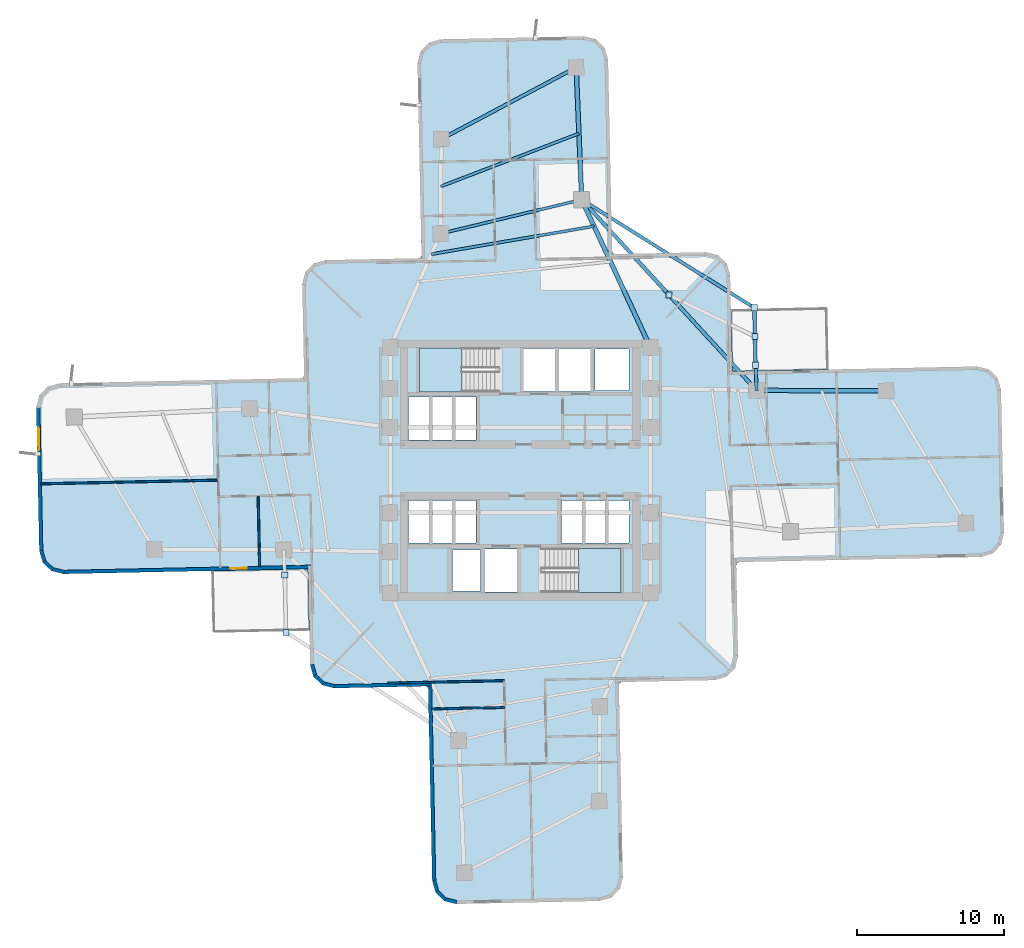
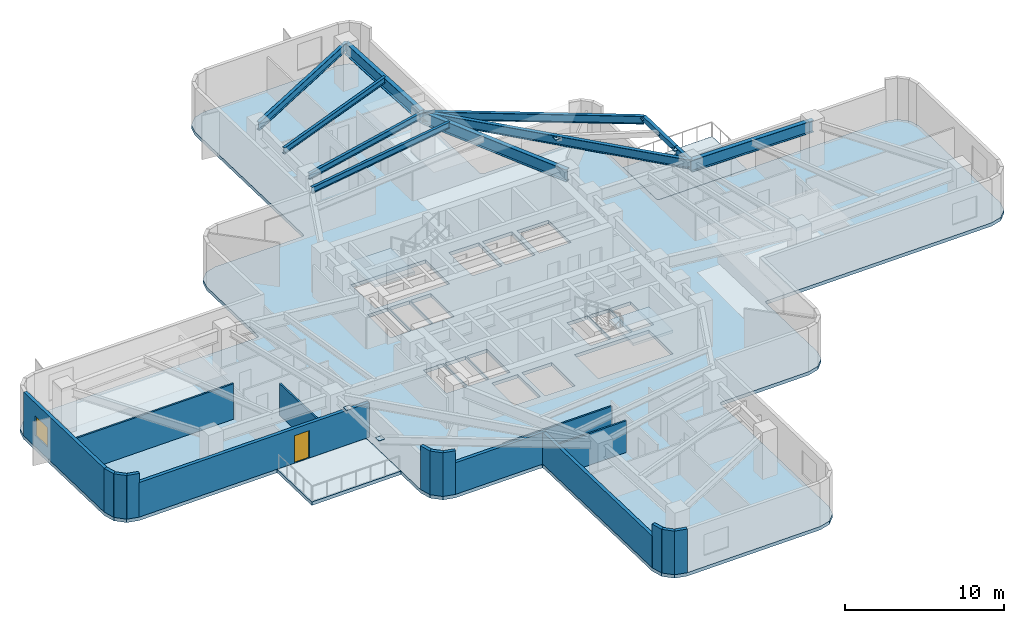
# One storey, part 2 of 10: 17 walls, 11 beams, 6 plates, 5 slabs, 1 door, 1 window, 2 openings, 2 elements without a shape of their own.
"""IFC4 building model written with IfcOpenShell, lengths in metres."""

from ifc_helpers import new_model, si_unit, direction, frame, frame_2d, origin, origin_2d, place, context, subcontext, project, spatial, polyline, rectangle, hollow_rectangle, i_section, outline, extrude, material, layer, layer_set, material_profile, profile_set, type_object, element, fill, aggregate, save


model = new_model("IFC4")

# Units and contexts
model_context = context("Model", 3, precision=1e-05, world=origin(), true_north=direction((0.0, 1.0)))
body_context = subcontext(model_context, "Body", "Model", "MODEL_VIEW")
ifc_project = project(units=[si_unit("LENGTHUNIT", "METRE"), si_unit("AREAUNIT", "SQUARE_METRE"), si_unit("VOLUMEUNIT", "CUBIC_METRE"), si_unit("PLANEANGLEUNIT", "RADIAN"), si_unit("MASSUNIT", "GRAM", prefix="KILO")], contexts=[model_context])

# Site, building, storey
site_placement = place(None, origin())
site = spatial("IfcSite", under=ifc_project, at=site_placement, CompositionType="ELEMENT")
building_placement = place(site_placement, origin())
building = spatial("IfcBuilding", under=site, at=building_placement, Name="Solmarez Civic Tower", CompositionType="ELEMENT")
storey_placement = place(building_placement, frame((0.0, 0.0, 35.280029296875)))
storey = spatial("IfcBuildingStorey", under=building, at=storey_placement, Name="L08", CompositionType="ELEMENT", Elevation=35.280029296875)

# Beams
ifc_material_1 = material(Name="Steel S355", Category="steel")
ifc_material_profile_1 = material_profile(ifc_material_1, i_section(OverallWidth=0.19189453125, OverallDepth=0.462890625, WebThickness=0.010498046875, FlangeThickness=0.017578125, at=origin_2d()), Name="W18X60")
ifc_profile_set_1 = profile_set([ifc_material_profile_1], Name="Steel S355")
beam_type_1 = type_object("IfcBeamType", Name="BM-JS-W18X60", PredefinedType="JOIST", material=ifc_profile_set_1)
beam_1_placement = place(storey_placement, frame((4.18408203125, 18.39111328125, 3.10888671875), z_axis=(-0.97215737271, -0.234328919867, 0.0), x_axis=(0.234328919867, -0.97215737271, 0.0)))
element("IfcBeam", 1, at=beam_1_placement, inside=storey, type_object=beam_type_1, Name="L08 Secondary Floor Joist BM-L08-NA-T1", PredefinedType="JOIST", context=body_context, shape_type="SweptSolid", body=[
    extrude(i_section(OverallWidth=0.19189453125, OverallDepth=0.462890625, WebThickness=0.010498046875, FlangeThickness=0.017578125, at=origin_2d()), origin(), (0.0, 0.0, 1.0), 9.880126953125),
])
beam_2_placement = place(storey_placement, frame((3.9951171875, 22.886962890625, 3.10888671875), z_axis=(-0.933878315551, -0.357590955903, 0.0), x_axis=(0.357590955903, -0.933878315551, 0.0)))
element("IfcBeam", 2, at=beam_2_placement, inside=storey, type_object=beam_type_1, Name="L08 Secondary Floor Joist JS-L08-NA-M2", PredefinedType="JOIST", context=body_context, shape_type="SweptSolid", body=[
    extrude(i_section(OverallWidth=0.19189453125, OverallDepth=0.462890625, WebThickness=0.010498046875, FlangeThickness=0.017578125, at=origin_2d()), origin(), (0.0, 0.0, 1.0), 10.05615234375),
])
beam_3_placement = place(storey_placement, frame((5.02392578125, 16.583984375, 3.10888671875), z_axis=(-0.985583934907, -0.169187195889, 0.0), x_axis=(0.169187195889, -0.985583934907, 0.0)))
element("IfcBeam", 3, at=beam_3_placement, inside=storey, type_object=beam_type_1, Name="L08 Secondary Floor Joist JS-L08-NA-M12", PredefinedType="JOIST", context=body_context, shape_type="SweptSolid", body=[
    extrude(i_section(OverallWidth=0.19189453125, OverallDepth=0.462890625, WebThickness=0.010498046875, FlangeThickness=0.017578125, at=origin_2d()), origin(), (0.0, 0.0, 1.0), 11.223876953125),
])
ifc_material_profile_2 = material_profile(ifc_material_1, i_section(OverallWidth=0.25390625, OverallDepth=0.68798828125, WebThickness=0.01318359375, FlangeThickness=0.02099609375, at=origin_2d()), Name="W27X102")
ifc_profile_set_2 = profile_set([ifc_material_profile_2], Name="Steel S355")
beam_type_2 = type_object("IfcBeamType", Name="BM-PR-W27X102", PredefinedType="BEAM", material=ifc_profile_set_2)
beam_4_placement = place(storey_placement, frame((16.075927734375, 5.4208984375, 2.995849609375), z_axis=(-0.6758012736, 0.737083874875, 0.0), x_axis=(-0.737083874875, -0.6758012736, 0.0)))
element("IfcBeam", 4, at=beam_4_placement, inside=storey, type_object=beam_type_2, Name="L08 Primary Floor Beam BM-L08-BALC-NEC", PredefinedType="BEAM", context=body_context, shape_type="SweptSolid", body=[
    extrude(i_section(OverallWidth=0.25390625, OverallDepth=0.68798828125, WebThickness=0.01318359375, FlangeThickness=0.02099609375, at=origin_2d()), origin(), (0.0, 0.0, 1.0), 17.5966796875),
])
ifc_material_profile_3 = material_profile(ifc_material_1, i_section(OverallWidth=0.303955078125, OverallDepth=0.910888671875, WebThickness=0.015869140625, FlangeThickness=0.02392578125, at=origin_2d()), Name="W36X150")
ifc_profile_set_3 = profile_set([ifc_material_profile_3], Name="Steel S355")
beam_type_3 = type_object("IfcBeamType", Name="BM-PR-W36X150", PredefinedType="BEAM", material=ifc_profile_set_3)
beam_5_placement = place(storey_placement, frame((16.075927734375, 5.4208984375, 2.884033203125), z_axis=(0.99999501223, -0.003158403928, 0.0), x_axis=(0.003158403928, 0.99999501223, 0.0)))
element("IfcBeam", 5, at=beam_5_placement, inside=storey, type_object=beam_type_3, Name="L08 Primary Floor Beam BM-L08-EA-R2B", PredefinedType="BEAM", context=body_context, shape_type="SweptSolid", body=[
    extrude(i_section(OverallWidth=0.303955078125, OverallDepth=0.910888671875, WebThickness=0.015869140625, FlangeThickness=0.02392578125, at=origin_2d()), origin(), (0.0, 0.0, 1.0), 8.81201171875),
])
beam_6_placement = place(storey_placement, frame((8.85009765625, 8.35009765625, 2.884033203125), z_axis=(-0.421417065364, 0.906866945599, 0.0), x_axis=(-0.906866945599, -0.421417065364, 0.0)))
element("IfcBeam", 6, at=beam_6_placement, inside=storey, type_object=beam_type_3, Name="L08 Primary Floor Beam BM-L08-NA-R1A", PredefinedType="BEAM", context=body_context, shape_type="SweptSolid", body=[
    extrude(i_section(OverallWidth=0.303955078125, OverallDepth=0.910888671875, WebThickness=0.015869140625, FlangeThickness=0.02392578125, at=origin_2d()), origin(), (0.0, 0.0, 1.0), 11.072265625),
])
beam_7_placement = place(storey_placement, frame((4.18408203125, 18.39111328125, 2.884033203125), z_axis=(-0.041911499832, 0.999121327058, 0.0), x_axis=(-0.999121327058, -0.041911499832, 0.0)))
element("IfcBeam", 7, at=beam_7_placement, inside=storey, type_object=beam_type_3, Name="L08 Primary Floor Beam BM-L08-NA-R2A", PredefinedType="BEAM", context=body_context, shape_type="SweptSolid", body=[
    extrude(i_section(OverallWidth=0.303955078125, OverallDepth=0.910888671875, WebThickness=0.015869140625, FlangeThickness=0.02392578125, at=origin_2d()), origin(), (0.0, 0.0, 1.0), 8.999755859375),
])
ifc_material_profile_4 = material_profile(ifc_material_1, hollow_rectangle(XDim=0.25, YDim=0.39990234375, WallThickness=0.01611328125, at=origin_2d()), Name="HSS400X250X16")
ifc_profile_set_4 = profile_set([ifc_material_profile_4], Name="Steel S355")
beam_type_4 = type_object("IfcBeamType", Name="BM-SP-HSS400X250", PredefinedType="SPANDREL", material=ifc_profile_set_4)
beam_8_placement = place(storey_placement, frame((16.00390625, 7.136962890625, 3.139892578125), z_axis=(-0.020972217891, 0.999780058851, 0.0), x_axis=(-0.999780058851, -0.020972217891, 0.0)))
element("IfcBeam", 8, at=beam_8_placement, inside=storey, type_object=beam_type_4, Name="L08 Perimeter Spandrel Beam BM-L08-BALC-NEE", PredefinedType="SPANDREL", context=body_context, shape_type="SweptSolid", body=[
    extrude(hollow_rectangle(XDim=0.25, YDim=0.39990234375, WallThickness=0.01611328125, at=origin_2d()), origin(), (0.0, 0.0, 1.0), 3.89990234375),
])
ifc_material_profile_5 = material_profile(ifc_material_1, i_section(OverallWidth=0.22900390625, OverallDepth=0.612060546875, WebThickness=0.011962890625, FlangeThickness=0.01953125, at=origin_2d()), Name="W24X84")
ifc_profile_set_5 = profile_set([ifc_material_profile_5], Name="Steel S355")
beam_type_5 = type_object("IfcBeamType", Name="BM-SP-W24X84", PredefinedType="SPANDREL", material=ifc_profile_set_5)
beam_9_placement = place(storey_placement, frame((3.806884765625, 27.383056640625, 3.033935546875), z_axis=(-0.883129404808, -0.469129464394, 0.0), x_axis=(0.469129464394, -0.883129404808, 0.0)))
element("IfcBeam", 9, at=beam_9_placement, inside=storey, type_object=beam_type_5, Name="L08 Perimeter Spandrel Beam BM-L08-NA-T2", PredefinedType="SPANDREL", context=body_context, shape_type="SweptSolid", body=[
    extrude(i_section(OverallWidth=0.22900390625, OverallDepth=0.612060546875, WebThickness=0.011962890625, FlangeThickness=0.01953125, at=origin_2d()), origin(), (0.0, 0.0, 1.0), 10.3935546875),
])
beam_10_placement = place(storey_placement, frame((16.075927734375, 5.4208984375, 3.033935546875), z_axis=(-0.041932072391, 0.999120463861, 0.0), x_axis=(-0.999120463861, -0.041932072391, 0.0)))
element("IfcBeam", 10, at=beam_10_placement, inside=storey, type_object=beam_type_5, Name="L08 Perimeter Spandrel Beam BM-L08-BALC-NE1", PredefinedType="SPANDREL", context=body_context, shape_type="SweptSolid", body=[
    extrude(i_section(OverallWidth=0.22900390625, OverallDepth=0.612060546875, WebThickness=0.011962890625, FlangeThickness=0.01953125, at=origin_2d()), origin(), (0.0, 0.0, 1.0), 1.717529296875),
])
beam_11_placement = place(storey_placement, frame((4.18408203125, 18.39111328125, 3.033935546875), z_axis=(0.847382845558, -0.530982403713, 0.0), x_axis=(0.530982403713, 0.847382845558, 0.0)))
element("IfcBeam", 11, at=beam_11_placement, inside=storey, type_object=beam_type_5, Name="L08 Perimeter Spandrel Beam BM-L08-BALC-NE2", PredefinedType="SPANDREL", context=body_context, shape_type="SweptSolid", body=[
    extrude(i_section(OverallWidth=0.22900390625, OverallDepth=0.612060546875, WebThickness=0.011962890625, FlangeThickness=0.01953125, at=origin_2d()), origin(), (0.0, 0.0, 1.0), 13.85205078125),
])

# Plates
ifc_layer_1 = layer(ifc_material_1, 0.02392578125)
ifc_layer_set_1 = layer_set([ifc_layer_1], Name="Steel S355")
plate_type = type_object("IfcPlateType", Name="PLT-CAP-380", PredefinedType="USERDEFINED", material=ifc_layer_set_1)
for number, where, z_axis, x_axis, name in (
    (12, (16.00390625, 7.136962890625, 3.1279296875), (0.0, 0.0, 1.0), (1.0, 0.0, 0.0), "Steel Member End Cap Plate CAP-BM-L08-BALC-NEE-0"),
    (13, (15.922119140625, 11.035888671875, 3.1279296875), (0.0, 0.0, 1.0), (1.0, 0.0, 0.0), "Steel Member End Cap Plate CAP-BM-L08-BALC-NEE-1"),
    (14, (10.1298828125, 11.906005859375, 3.1279296875), (0.0, 0.0, 1.0), (1.0, 0.0, 0.0), "Steel Member End Cap Plate CAP-BM-L08-BALC-NEM-0"),
    (15, (15.962890625, 9.0859375, 3.1279296875), (0.0, 0.0, 1.0), (1.0, 0.0, 0.0), "Steel Member End Cap Plate CAP-BM-L08-BALC-NEM-1"),
    (16, (-16.00390625, -7.136962890625, 3.1279296875), (0.0, 0.0, 1.0), (1.0, 0.0, 0.0), "Steel Member End Cap Plate CAP-BM-L08-BALC-SWE-0"),
    (17, (-15.922119140625, -11.035888671875, 3.1279296875), (0.0, 0.0, 1.0), (1.0, 0.0, 0.0), "Steel Member End Cap Plate CAP-BM-L08-BALC-SWE-1"),
):
    element("IfcPlate", number, at=place(storey_placement, frame(where, z_axis=z_axis, x_axis=x_axis)), inside=storey, type_object=plate_type, Name=name, ObjectType="CAP_PLATE", PredefinedType="USERDEFINED", context=body_context, shape_type="SweptSolid", body=[
        extrude(rectangle(XDim=0.419921875, YDim=0.419921875, at=origin_2d()), origin(), (0.0, 0.0, 1.0), 0.02392578125),
    ])

# Stair, slab
ifc_material_2 = material(Name="Concrete C50/60", Category="concrete")
stair_type = type_object("IfcStairType", Name="STAIR-DOGLEG-140W-20R-1800", PredefinedType="HALF_TURN_STAIR", material=ifc_material_2)
stair_1_placement = place(storey_placement, origin())
stair_1 = element("IfcStair", 18, at=stair_1_placement, inside=storey, type_object=stair_type, Name="L08 North Core Protected Exit Stair ST-1", PredefinedType="HALF_TURN_STAIR")
ifc_layer_2 = layer(ifc_material_2, 0.199951171875)
ifc_layer_set_2 = layer_set([ifc_layer_2], Name="Concrete C50/60")
slab_type_1 = type_object("IfcSlabType", Name="SLAB-LANDING-200", PredefinedType="LANDING", material=ifc_layer_set_2)
slab_1_placement = place(storey_placement, frame((0.0, 0.0, 1.599853515625)))
slab_1 = element("IfcSlab", 19, at=slab_1_placement, type_object=slab_type_1, Name="ST-1 landing 1", PredefinedType="LANDING", context=body_context, shape_type="SweptSolid", body=[
    extrude(outline(polyline([(-3.969970703125, 8.320068359375), (-6.85009765625, 8.320068359375), (-6.85009765625, 5.320068359375), (-3.969970703125, 5.320068359375), (-3.969970703125, 8.320068359375)])), origin(), (0.0, 0.0, 1.0), 0.2001953125),
])
aggregate(stair_1, [slab_1])

stair_2_placement = place(storey_placement, origin())
stair_2 = element("IfcStair", 20, at=stair_2_placement, inside=storey, type_object=stair_type, Name="L08 South Core Protected Exit Stair ST-2", PredefinedType="HALF_TURN_STAIR")
slab_2_placement = place(storey_placement, frame((0.0, 0.0, 1.599853515625)))
slab_2 = element("IfcSlab", 21, at=slab_2_placement, type_object=slab_type_1, Name="ST-2 landing 1", PredefinedType="LANDING", context=body_context, shape_type="SweptSolid", body=[
    extrude(outline(polyline([(3.969970703125, -8.320068359375), (6.85009765625, -8.320068359375), (6.85009765625, -5.320068359375), (3.969970703125, -5.320068359375), (3.969970703125, -8.320068359375)])), origin(), (0.0, 0.0, 1.0), 0.2001953125),
])
aggregate(stair_2, [slab_2])

# Slabs
ifc_layer_3 = layer(ifc_material_2, 0.260009765625)
ifc_layer_set_3 = layer_set([ifc_layer_3], Name="Concrete C50/60")
slab_type_2 = type_object("IfcSlabType", Name="SLAB-TOWER-260", PredefinedType="FLOOR", material=ifc_layer_set_3)
slab_3_placement = place(storey_placement, frame((0.0, 0.0, -0.260009765625)))
element("IfcSlab", 22, at=slab_3_placement, inside=storey, type_object=slab_type_2, Name="L08 Structural Slab", PredefinedType="FLOOR", context=body_context, shape_type="SweptSolid", body=[
    extrude(outline(polyline([(-14.407958984375, -6.9140625), (-14.27587890625, -13.251953125), (-14.044921875, -14.047119140625), (-13.447021484375, -14.6201171875), (-12.64208984375, -14.818115234375), (-6.464111328125, -14.68896484375), (-6.297119140625, -14.72998046875), (-6.2490234375, -14.89501953125), (-5.97607421875, -27.930908203125), (-5.7451171875, -28.72705078125), (-5.14794921875, -29.300048828125), (-4.343017578125, -29.4970703125), (5.4150390625, -29.29296875), (6.2099609375, -29.06201171875), (6.782958984375, -28.464111328125), (6.98095703125, -27.659912109375), (6.7080078125, -14.623046875), (6.7490234375, -14.4560546875), (6.9140625, -14.407958984375), (13.251953125, -14.27587890625), (14.047119140625, -14.044921875), (14.6201171875, -13.447021484375), (14.818115234375, -12.64208984375), (14.68896484375, -6.464111328125), (14.72998046875, -6.297119140625), (14.89501953125, -6.2490234375), (31.3310546875, -5.905029296875), (32.1259765625, -5.674072265625), (32.698974609375, -5.075927734375), (32.89697265625, -4.27197265625), (32.69189453125, 5.486083984375), (32.4609375, 6.281005859375), (31.863037109375, 6.85400390625), (31.05908203125, 7.052001953125), (14.623046875, 6.7080078125), (14.4560546875, 6.7490234375), (14.407958984375, 6.9140625), (14.27587890625, 13.251953125), (14.044921875, 14.047119140625), (13.447021484375, 14.6201171875), (12.64208984375, 14.818115234375), (6.464111328125, 14.68896484375), (6.297119140625, 14.72998046875), (6.2490234375, 14.89501953125), (5.97607421875, 27.930908203125), (5.7451171875, 28.72705078125), (5.14794921875, 29.300048828125), (4.343017578125, 29.4970703125), (-5.4150390625, 29.29296875), (-6.2099609375, 29.06201171875), (-6.782958984375, 28.464111328125), (-6.98095703125, 27.659912109375), (-6.7080078125, 14.623046875), (-6.7490234375, 14.4560546875), (-6.9140625, 14.407958984375), (-13.251953125, 14.27587890625), (-14.047119140625, 14.044921875), (-14.6201171875, 13.447021484375), (-14.818115234375, 12.64208984375), (-14.68896484375, 6.464111328125), (-14.72998046875, 6.297119140625), (-14.89501953125, 6.2490234375), (-31.3310546875, 5.905029296875), (-32.1259765625, 5.674072265625), (-32.698974609375, 5.075927734375), (-32.89697265625, 4.27197265625), (-32.69189453125, -5.486083984375), (-32.4609375, -6.281005859375), (-31.863037109375, -6.85400390625), (-31.05908203125, -7.052001953125), (-14.623046875, -6.7080078125), (-14.4560546875, -6.7490234375), (-14.407958984375, -6.9140625)]), holes=[polyline([(-1.449951171875, 8.320068359375), (-6.85009765625, 8.320068359375), (-6.85009765625, 5.320068359375), (-1.449951171875, 5.320068359375), (-1.449951171875, 8.320068359375)]), polyline([(1.449951171875, -8.320068359375), (6.85009765625, -8.320068359375), (6.85009765625, -5.320068359375), (1.449951171875, -5.320068359375), (1.449951171875, -8.320068359375)]), polyline([(0.219970703125, 5.360107421875), (2.3798828125, 5.360107421875), (2.3798828125, 8.280029296875), (0.219970703125, 8.280029296875), (0.219970703125, 5.360107421875)]), polyline([(2.6201171875, 5.360107421875), (4.780029296875, 5.360107421875), (4.780029296875, 8.280029296875), (2.6201171875, 8.280029296875), (2.6201171875, 5.360107421875)]), polyline([(-2.3798828125, -8.280029296875), (-0.219970703125, -8.280029296875), (-0.219970703125, -5.360107421875), (-2.3798828125, -5.360107421875), (-2.3798828125, -8.280029296875)]), polyline([(2.800048828125, -4.9599609375), (4.280029296875, -4.9599609375), (4.280029296875, -2.06005859375), (2.800048828125, -2.06005859375), (2.800048828125, -4.9599609375)]), polyline([(4.360107421875, -4.9599609375), (5.840087890625, -4.9599609375), (5.840087890625, -2.06005859375), (4.360107421875, -2.06005859375), (4.360107421875, -4.9599609375)]), polyline([(5.919921875, -4.9599609375), (7.39990234375, -4.9599609375), (7.39990234375, -2.06005859375), (5.919921875, -2.06005859375), (5.919921875, -4.9599609375)]), polyline([(-7.60009765625, -4.9599609375), (-6.1201171875, -4.9599609375), (-6.1201171875, -2.06005859375), (-7.60009765625, -2.06005859375), (-7.60009765625, -4.9599609375)]), polyline([(-6.0400390625, -4.9599609375), (-4.56005859375, -4.9599609375), (-4.56005859375, -2.06005859375), (-6.0400390625, -2.06005859375), (-6.0400390625, -4.9599609375)]), polyline([(-4.47998046875, -4.9599609375), (-3.0, -4.9599609375), (-3.0, -2.06005859375), (-4.47998046875, -2.06005859375), (-4.47998046875, -4.9599609375)]), polyline([(-7.60009765625, 2.06005859375), (-6.1201171875, 2.06005859375), (-6.1201171875, 4.9599609375), (-7.60009765625, 4.9599609375), (-7.60009765625, 2.06005859375)]), polyline([(-6.0400390625, 2.06005859375), (-4.56005859375, 2.06005859375), (-4.56005859375, 4.9599609375), (-6.0400390625, 4.9599609375), (-6.0400390625, 2.06005859375)]), polyline([(-4.47998046875, 2.06005859375), (-3.0, 2.06005859375), (-3.0, 4.9599609375), (-4.47998046875, 4.9599609375), (-4.47998046875, 2.06005859375)]), polyline([(5.10009765625, 5.419921875), (7.39990234375, 5.419921875), (7.39990234375, 8.219970703125), (5.10009765625, 8.219970703125), (5.10009765625, 5.419921875)]), polyline([(-4.60009765625, -8.219970703125), (-2.699951171875, -8.219970703125), (-2.699951171875, -5.419921875), (-4.60009765625, -5.419921875), (-4.60009765625, -8.219970703125)])]), origin(), (0.0, 0.0, 1.0), 0.260009765625),
])
slab_4_placement = place(storey_placement, frame((0.0, 0.0, -0.260009765625)))
element("IfcSlab", 23, at=slab_4_placement, inside=storey, type_object=slab_type_2, Name="L08 Re-entrant Corner Winter-Garden Balcony NE", PredefinedType="FLOOR", context=body_context, shape_type="SweptSolid", body=[
    extrude(outline(polyline([(14.326904296875, 10.902099609375), (14.409912109375, 6.9140625), (14.4580078125, 6.75), (14.6240234375, 6.7099609375), (20.9609375, 6.842041015625), (20.873046875, 11.0400390625), (14.326904296875, 10.902099609375)])), origin(), (0.0, 0.0, 1.0), 0.260009765625),
])
slab_5_placement = place(storey_placement, frame((0.0, 0.0, -0.260009765625)))
element("IfcSlab", 24, at=slab_5_placement, inside=storey, type_object=slab_type_2, Name="L08 Re-entrant Corner Winter-Garden Balcony SW", PredefinedType="FLOOR", context=body_context, shape_type="SweptSolid", body=[
    extrude(outline(polyline([(-14.326904296875, -10.902099609375), (-14.409912109375, -6.9140625), (-14.4580078125, -6.75), (-14.6240234375, -6.7099609375), (-20.9609375, -6.842041015625), (-20.873046875, -11.0400390625), (-14.326904296875, -10.902099609375)])), origin(), (0.0, 0.0, 1.0), 0.260009765625),
])

# Wall, opening, door
ifc_material_3 = material(Name="Precast concrete C40/50", Category="concrete")
ifc_layer_4 = layer(ifc_material_3, 0.239990234375)
ifc_layer_set_4 = layer_set([ifc_layer_4], Name="Precast concrete C40/50")
wall_type_1 = type_object("IfcWallType", Name="WALL-EXT-240", PredefinedType="SOLIDWALL", material=ifc_layer_set_4)
wall_1_placement = place(storey_placement, frame((-14.199951171875, -6.577880859375, 0.0), z_axis=(0.0, 0.0, 1.0), x_axis=(-0.999778412505, -0.021050555542, 0.0)))
wall_1 = element("IfcWall", 25, at=wall_1_placement, inside=storey, type_object=wall_type_1, Name="L08 Exterior Precast Wall 2", PredefinedType="SOLIDWALL", context=body_context, shape_type="SweptSolid", body=[
    extrude(rectangle(XDim=16.874755859375, YDim=0.239990234375, at=frame_2d((8.4375, 0.0))), origin(), (0.0, 0.0, 1.0), 2.64404296875),
])
opening_1_placement = place(wall_1_placement, frame((4.39990234375, 0.0, 0.0)))
opening_1 = element("IfcOpeningElement", 26, at=opening_1_placement, cuts=wall_1, Name="Opening D-06", PredefinedType="OPENING", context=body_context, shape_type="SweptSolid", body=[
    extrude(rectangle(XDim=1.10009765625, YDim=2.10009765625, at=frame_2d((0.550048828125, 1.050048828125))), frame((0.0, 0.1298828125, 0.0), z_axis=(0.0, -1.0, 0.0), x_axis=(1.0, 0.0, 0.0)), (0.0, 0.0, 1.0), 0.260009765625),
])
ifc_material_4 = material(Name="Bronze Anodised Aluminium Glazed Terrace Door", Category="aluminium")
door_type = type_object("IfcDoorType", Name="DOOR-TERR-1100", OperationType="NOTDEFINED", PredefinedType="DOOR", material=ifc_material_4)
door_placement = place(opening_1_placement, origin())
door = element("IfcDoor", 27, at=door_placement, inside=storey, type_object=door_type, Name="L08 Outdoor Terrace Glazed Door", OperationType="SINGLE_SWING_RIGHT", OverallHeight=2.10009765625, OverallWidth=1.10009765625, PredefinedType="DOOR", context=body_context, shape_type="SweptSolid", body=[
    extrude(rectangle(XDim=1.10009765625, YDim=2.10009765625, at=frame_2d((0.550048828125, 1.050048828125))), frame((0.0, 0.02490234375, 0.0), z_axis=(0.0, -1.0, 0.0), x_axis=(1.0, 0.0, 0.0)), (0.0, 0.0, 1.0), 0.050048828125),
])
fill(opening_1, door)

# Walls
wall_2_placement = place(storey_placement, frame((-31.02197265625, -6.93798828125, 0.0), z_axis=(0.0, 0.0, 1.0), x_axis=(-0.971120878097, 0.238588013371, 0.0)))
element("IfcWall", 28, at=wall_2_placement, inside=storey, type_object=wall_type_1, Name="L08 Exterior Precast Wall 3", PredefinedType="SOLIDWALL", context=body_context, shape_type="SweptSolid", body=[
    extrude(rectangle(XDim=0.829833984375, YDim=0.239990234375, at=frame_2d((0.4150390625, 0.0))), origin(), (0.0, 0.0, 1.0), 3.340087890625),
])
wall_3_placement = place(storey_placement, frame((-31.785888671875, -6.762939453125, 0.0), z_axis=(0.0, 0.0, 1.0), x_axis=(-0.721807017337, 0.692094379202, 0.0)))
element("IfcWall", 29, at=wall_3_placement, inside=storey, type_object=wall_type_1, Name="L08 Exterior Precast Wall 4", PredefinedType="SOLIDWALL", context=body_context, shape_type="SweptSolid", body=[
    extrude(rectangle(XDim=0.8134765625, YDim=0.239990234375, at=frame_2d((0.40673828125, 0.0))), origin(), (0.0, 0.0, 1.0), 3.340087890625),
])
wall_4_placement = place(storey_placement, frame((-32.347900390625, -6.240966796875, 0.0), z_axis=(0.0, 0.0, 1.0), x_axis=(-0.2797289077, 0.960079027058, 0.0)))
element("IfcWall", 30, at=wall_4_placement, inside=storey, type_object=wall_type_1, Name="L08 Exterior Precast Wall 5", PredefinedType="SOLIDWALL", context=body_context, shape_type="SweptSolid", body=[
    extrude(rectangle(XDim=0.830078125, YDim=0.239990234375, at=frame_2d((0.4150390625, 0.0))), origin(), (0.0, 0.0, 1.0), 3.340087890625),
])

# Wall, opening, window
wall_5_placement = place(storey_placement, frame((-32.572021484375, -5.492919921875, 0.0), z_axis=(0.0, 0.0, 1.0), x_axis=(-0.020971264701, 0.999780078846, 0.0)))
wall_5 = element("IfcWall", 31, at=wall_5_placement, inside=storey, type_object=wall_type_1, Name="L08 Exterior Precast Wall 6", PredefinedType="SOLIDWALL", context=body_context, shape_type="SweptSolid", body=[
    extrude(rectangle(XDim=9.779052734375, YDim=0.239990234375, at=frame_2d((4.8896484375, 0.0))), origin(), (0.0, 0.0, 1.0), 3.340087890625),
])
opening_2_placement = place(wall_5_placement, frame((6.8779296875, 0.0, 0.85009765625)))
opening_2 = element("IfcOpeningElement", 32, at=opening_2_placement, cuts=wall_5, Name="Opening W-14", PredefinedType="OPENING", context=body_context, shape_type="SweptSolid", body=[
    extrude(rectangle(XDim=1.5, YDim=1.5, at=frame_2d((0.75, 0.75))), frame((0.0, 0.1298828125, 0.0), z_axis=(0.0, -1.0, 0.0), x_axis=(1.0, 0.0, 0.0)), (0.0, 0.0, 1.0), 0.260009765625),
])
ifc_material_5 = material(Name="Solar Control Bronze-Tinted Insulating Glass", Category="glass")
window_type = type_object("IfcWindowType", Name="WIN-1500X1500", PartitioningType="SINGLE_PANEL", PredefinedType="WINDOW", material=ifc_material_5)
window_placement = place(opening_2_placement, origin())
window = element("IfcWindow", 33, at=window_placement, inside=storey, type_object=window_type, Name="L08 Exterior Facade Window 6", OverallHeight=1.5, OverallWidth=1.5, PartitioningType="SINGLE_PANEL", PredefinedType="WINDOW", context=body_context, shape_type="SweptSolid", body=[
    extrude(rectangle(XDim=1.5, YDim=1.5, at=frame_2d((0.75, 0.75))), frame((0.0, 0.030029296875, 0.0), z_axis=(0.0, -1.0, 0.0), x_axis=(1.0, 0.0, 0.0)), (0.0, 0.0, 1.0), 0.06005859375),
])
fill(opening_2, window)

# Walls
wall_6_placement = place(storey_placement, frame((-4.305908203125, -29.383056640625, 0.0), z_axis=(0.0, 0.0, 1.0), x_axis=(-0.97113761746, 0.238519869098, 0.0)))
element("IfcWall", 34, at=wall_6_placement, inside=storey, type_object=wall_type_1, Name="L08 Exterior Precast Wall 61", PredefinedType="SOLIDWALL", context=body_context, shape_type="SweptSolid", body=[
    extrude(rectangle(XDim=0.830078125, YDim=0.239990234375, at=frame_2d((0.4150390625, 0.0))), origin(), (0.0, 0.0, 1.0), 3.340087890625),
])
wall_7_placement = place(storey_placement, frame((-5.070068359375, -29.2080078125, 0.0), z_axis=(0.0, 0.0, 1.0), x_axis=(-0.721663211076, 0.692244328095, 0.0)))
element("IfcWall", 35, at=wall_7_placement, inside=storey, type_object=wall_type_1, Name="L08 Exterior Precast Wall 62", PredefinedType="SOLIDWALL", context=body_context, shape_type="SweptSolid", body=[
    extrude(rectangle(XDim=0.813232421875, YDim=0.239990234375, at=frame_2d((0.40673828125, 0.0))), origin(), (0.0, 0.0, 1.0), 3.340087890625),
])
wall_8_placement = place(storey_placement, frame((-5.632080078125, -28.68603515625, 0.0), z_axis=(0.0, 0.0, 1.0), x_axis=(-0.279378838128, 0.960180954199, 0.0)))
element("IfcWall", 36, at=wall_8_placement, inside=storey, type_object=wall_type_1, Name="L08 Exterior Precast Wall 63", PredefinedType="SOLIDWALL", context=body_context, shape_type="SweptSolid", body=[
    extrude(rectangle(XDim=0.830078125, YDim=0.239990234375, at=frame_2d((0.4150390625, 0.0))), origin(), (0.0, 0.0, 1.0), 3.340087890625),
])
wall_9_placement = place(storey_placement, frame((-5.85595703125, -27.93798828125, 0.0), z_axis=(0.0, 0.0, 1.0), x_axis=(-0.020997453553, 0.999779529168, 0.0)))
element("IfcWall", 37, at=wall_9_placement, inside=storey, type_object=wall_type_1, Name="L08 Exterior Precast Wall 64", PredefinedType="SOLIDWALL", context=body_context, shape_type="SweptSolid", body=[
    extrude(rectangle(XDim=13.475830078125, YDim=0.239990234375, at=frame_2d((6.73779296875, 0.0))), origin(), (0.0, 0.0, 1.0), 2.4208984375),
])
wall_10_placement = place(storey_placement, frame((-6.041015625, -14.55908203125, 0.0), z_axis=(0.0, 0.0, 1.0), x_axis=(-0.999776327957, -0.021149327571, 0.0)))
element("IfcWall", 38, at=wall_10_placement, inside=storey, type_object=wall_type_1, Name="L08 Exterior Precast Wall 67", PredefinedType="SOLIDWALL", context=body_context, shape_type="SweptSolid", body=[
    extrude(rectangle(XDim=6.614501953125, YDim=0.239990234375, at=frame_2d((3.30712890625, 0.0))), origin(), (0.0, 0.0, 1.0), 2.4208984375),
])
wall_11_placement = place(storey_placement, frame((-12.60498046875, -14.7041015625, 0.0), z_axis=(0.0, 0.0, 1.0), x_axis=(-0.971120878097, 0.238588013371, 0.0)))
element("IfcWall", 39, at=wall_11_placement, inside=storey, type_object=wall_type_1, Name="L08 Exterior Precast Wall 68", PredefinedType="SOLIDWALL", context=body_context, shape_type="SweptSolid", body=[
    extrude(rectangle(XDim=0.829833984375, YDim=0.239990234375, at=frame_2d((0.4150390625, 0.0))), origin(), (0.0, 0.0, 1.0), 3.340087890625),
])
wall_12_placement = place(storey_placement, frame((-13.368896484375, -14.529052734375, 0.0), z_axis=(0.0, 0.0, 1.0), x_axis=(-0.721807017337, 0.692094379202, 0.0)))
element("IfcWall", 40, at=wall_12_placement, inside=storey, type_object=wall_type_1, Name="L08 Exterior Precast Wall 69", PredefinedType="SOLIDWALL", context=body_context, shape_type="SweptSolid", body=[
    extrude(rectangle(XDim=0.8134765625, YDim=0.239990234375, at=frame_2d((0.40673828125, 0.0))), origin(), (0.0, 0.0, 1.0), 3.340087890625),
])
wall_13_placement = place(storey_placement, frame((-13.930908203125, -14.007080078125, 0.0), z_axis=(0.0, 0.0, 1.0), x_axis=(-0.279649933772, 0.960102033401, 0.0)))
element("IfcWall", 41, at=wall_13_placement, inside=storey, type_object=wall_type_1, Name="L08 Exterior Precast Wall 70", PredefinedType="SOLIDWALL", context=body_context, shape_type="SweptSolid", body=[
    extrude(rectangle(XDim=0.830322265625, YDim=0.239990234375, at=frame_2d((0.4150390625, 0.0))), origin(), (0.0, 0.0, 1.0), 3.340087890625),
])
ifc_material_6 = material(Name="Gypsum Board Acoustic Steel-Stud Partition", Category="steel")
ifc_layer_5 = layer(ifc_material_6, 0.1201171875)
ifc_layer_set_5 = layer_set([ifc_layer_5], Name="Gypsum Board Acoustic Steel-Stud Partition")
wall_type_2 = type_object("IfcWallType", Name="WALL-INT-PART-120", PredefinedType="PARTITIONING", material=ifc_layer_set_5)
wall_14_placement = place(storey_placement, frame((-17.81689453125, -1.77392578125, 0.0), z_axis=(0.0, 0.0, 1.0), x_axis=(0.021032428786, -0.999778794004, 0.0)))
element("IfcWall", 42, at=wall_14_placement, inside=storey, type_object=wall_type_2, Name="L08 Interior Partition PT-L08-W-LM", PredefinedType="PARTITIONING", context=body_context, shape_type="SweptSolid", body=[
    extrude(rectangle(XDim=4.7939453125, YDim=0.1201171875, at=frame_2d((2.39697265625, 0.0))), origin(), (0.0, 0.0, 1.0), 2.4208984375),
])
wall_15_placement = place(storey_placement, frame((-20.580078125, -0.680908203125, 0.0), z_axis=(0.0, 0.0, 1.0), x_axis=(-0.99978146579, -0.020905039192, 0.0)))
element("IfcWall", 43, at=wall_15_placement, inside=storey, type_object=wall_type_2, Name="L08 Interior Partition PT-L08-W-TM", PredefinedType="PARTITIONING", context=body_context, shape_type="SweptSolid", body=[
    extrude(rectangle(XDim=12.005615234375, YDim=0.1201171875, at=frame_2d((6.0029296875, 0.0))), origin(), (0.0, 0.0, 1.0), 2.719970703125),
])
wall_16_placement = place(storey_placement, frame((-9.01806640625, -14.48193359375, 0.0), z_axis=(0.0, 0.0, 1.0), x_axis=(0.999781922757, 0.020883173321, 0.0)))
element("IfcWall", 44, at=wall_16_placement, inside=storey, type_object=wall_type_2, Name="L08 Interior Partition PT-L08-S-EFR", PredefinedType="PARTITIONING", context=body_context, shape_type="SweptSolid", body=[
    extrude(rectangle(XDim=7.94970703125, YDim=0.1201171875, at=frame_2d((3.974853515625, 0.0))), origin(), (0.0, 0.0, 1.0), 2.4208984375),
])
wall_17_placement = place(storey_placement, frame((-6.01611328125, -16.239013671875, 0.0), z_axis=(0.0, 0.0, 1.0), x_axis=(0.999783825553, 0.02079187731, 0.0)))
element("IfcWall", 45, at=wall_17_placement, inside=storey, type_object=wall_type_2, Name="L08 Interior Partition PT-L08-S-RM", PredefinedType="PARTITIONING", context=body_context, shape_type="SweptSolid", body=[
    extrude(rectangle(XDim=4.955078125, YDim=0.1201171875, at=frame_2d((2.4775390625, 0.0))), origin(), (0.0, 0.0, 1.0), 2.4208984375),
])

save(model, "model.ifc")
